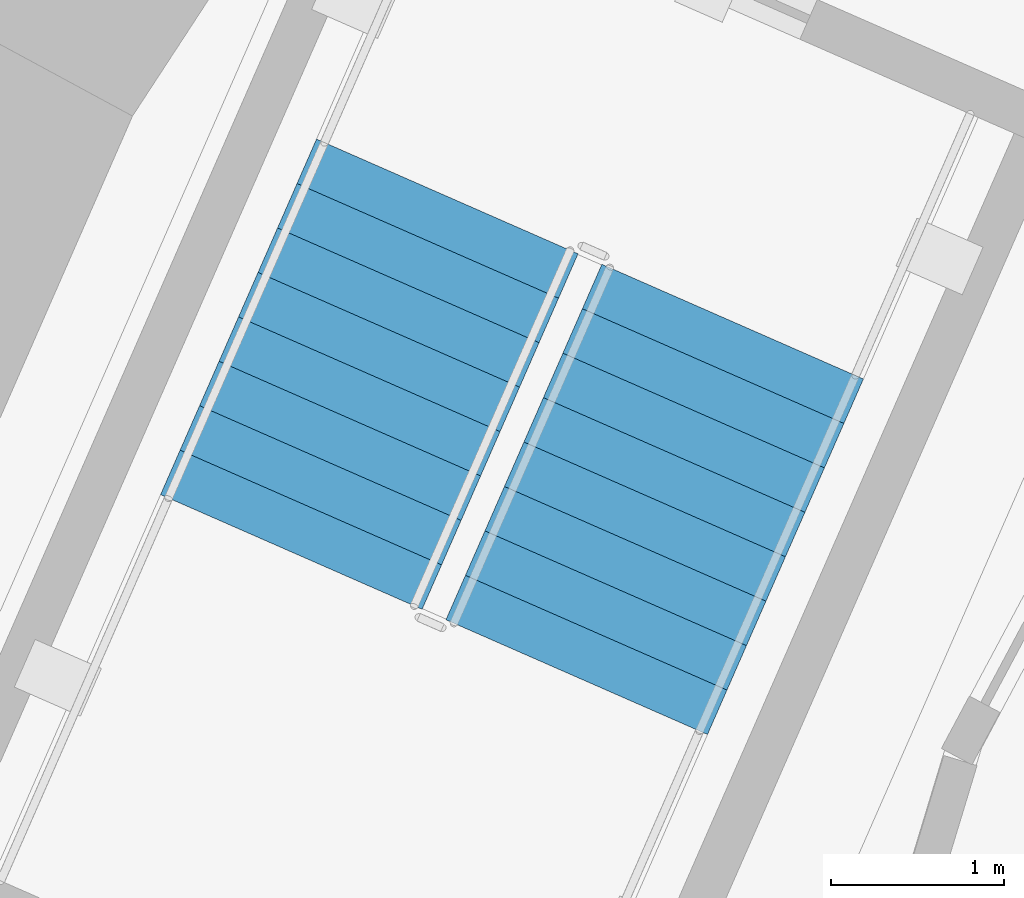
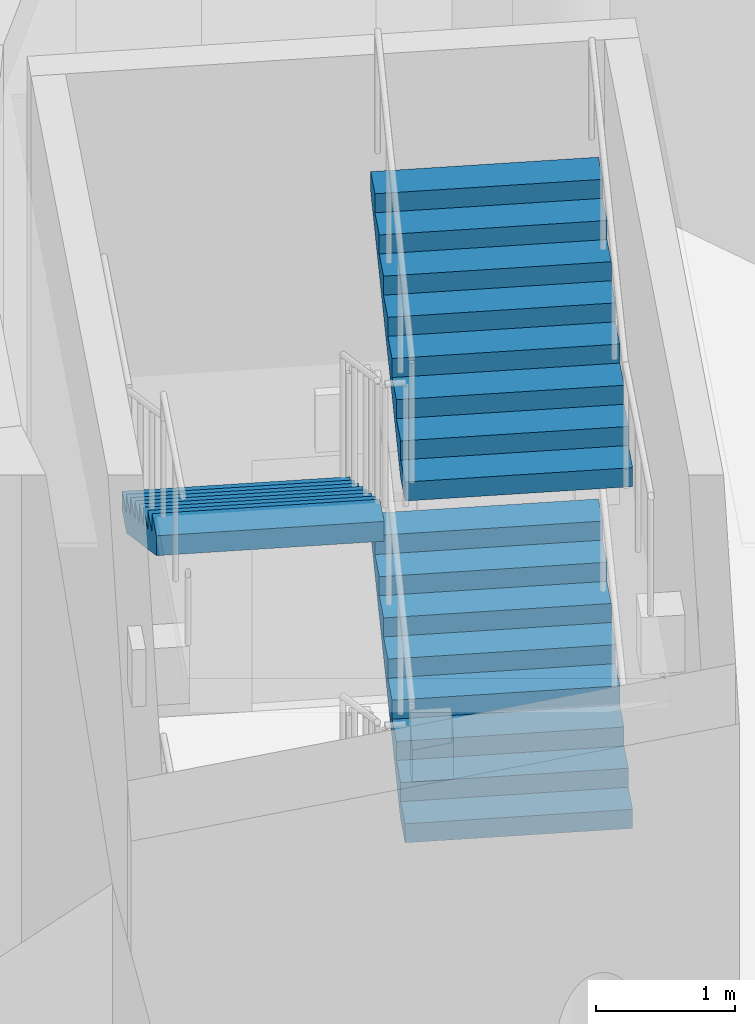
# One storey, part 69 of 125: 3 stair flights, 1 element without a shape of its own.
"""IFC4 building model written with IfcOpenShell, lengths in metres."""

import ifcopenshell
import ifcopenshell.guid

model = None  # the IFC model being written
_history = None  # IfcOwnerHistory: only IFC2X3 demands one
_inside = {}  # id of a spatial element -> (the spatial element, [elements in it])
_under = {}  # id of a project, library or spatial element -> (it, [spatial elements below it])
_declared = {}  # id of a project -> (the project, [libraries it declares])
_typed = {}  # id of a type object -> (the type object, [elements of that type])
_made_of = {}  # id of a material, layer set ... -> (it, [elements and type objects made of it])


def new_model(schema):
    """Start an empty IFC model of exactly this schema.

    Asked for "IFC4X3", IfcOpenShell would pick the latest addendum, in which some entities
    have other attributes; the version numbers below select the first issue.
    IFC2X3 requires an IfcOwnerHistory on every rooted entity: one is made here for all.
    """
    global model, _history
    if schema == "IFC4X3":
        model = ifcopenshell.file(schema_version=(4, 3, 0, 0))
    else:
        model = ifcopenshell.file(schema=schema)
    _inside.clear()
    _under.clear()
    _declared.clear()
    _typed.clear()
    _made_of.clear()
    _history = None
    if model.schema == "IFC2X3":
        org = make("IfcOrganization", Name="unknown")
        user = make(
            "IfcPersonAndOrganization",
            ThePerson=make("IfcPerson", FamilyName="unknown"),
            TheOrganization=org,
        )
        app = make(
            "IfcApplication",
            ApplicationDeveloper=org,
            Version="unknown",
            ApplicationFullName="unknown",
            ApplicationIdentifier="unknown",
        )
        _history = make(
            "IfcOwnerHistory",
            OwningUser=user,
            OwningApplication=app,
            ChangeAction="ADDED",
            CreationDate=0,
        )
    return model


def make(cls, **values):
    """One entity of the class cls with the attributes given. An attribute that is None is left unset."""
    return model.create_entity(
        cls, **{name: value for name, value in values.items() if value is not None}
    )


def rooted(cls, **values):
    """An entity with a GlobalId (a new one), such as an element, a storey or a relation."""
    return make(cls, GlobalId=ifcopenshell.guid.new(), OwnerHistory=_history, **values)


def si_unit(unit_type, name, prefix=None):
    """IfcSIUnit, for example si_unit("LENGTHUNIT", "METRE", prefix="MILLI")."""
    return make("IfcSIUnit", UnitType=unit_type, Prefix=prefix, Name=name)


def assignment(units):
    """IfcUnitAssignment: the units of a project."""
    return None if units is None else make("IfcUnitAssignment", Units=units)


def point(xyz):
    """IfcCartesianPoint."""
    return None if xyz is None else make("IfcCartesianPoint", Coordinates=xyz)


def direction(xyz):
    """IfcDirection."""
    return None if xyz is None else make("IfcDirection", DirectionRatios=xyz)


def frame(location, z_axis=None, x_axis=None):
    """IfcAxis2Placement3D, a coordinate frame: its origin and axes. An axis left out is left unset."""
    return make(
        "IfcAxis2Placement3D",
        Location=point(location),
        Axis=direction(z_axis),
        RefDirection=direction(x_axis),
    )


def origin():
    """The frame at (0, 0, 0) with its axes left unset."""
    return frame((0.0, 0.0, 0.0))


def place(relative_to, where):
    """IfcLocalPlacement: puts the frame where relative to a parent placement (None: the world)."""
    return make(
        "IfcLocalPlacement", PlacementRelTo=relative_to, RelativePlacement=where
    )


def context(
    kind, dimensions, precision=None, world=None, true_north=None, identifier=None
):
    """IfcGeometricRepresentationContext, for example the 3D "Model" context."""
    return make(
        "IfcGeometricRepresentationContext",
        ContextIdentifier=identifier,
        ContextType=kind,
        CoordinateSpaceDimension=dimensions,
        Precision=precision,
        WorldCoordinateSystem=world,
        TrueNorth=true_north,
    )


def subcontext(parent, identifier, kind, view, scale=None):
    """IfcGeometricRepresentationSubContext, for example "Body" below "Model"."""
    return make(
        "IfcGeometricRepresentationSubContext",
        ContextIdentifier=identifier,
        ContextType=kind,
        ParentContext=parent,
        TargetScale=scale,
        TargetView=view,
    )


def project(units=None, contexts=None):
    """IfcProject with its units and contexts."""
    return rooted(
        "IfcProject",
        Name="project",
        RepresentationContexts=contexts,
        UnitsInContext=assignment(units),
    )


def spatial(cls, under=None, at=None, **own):
    """A site, building, storey or space (cls), placed at a placement, below another one or the project."""
    s = rooted(cls, ObjectPlacement=at, **own)
    if under is not None:
        _under.setdefault(under.id(), (under, []))[1].append(s)
    return s


def polyline(points):
    """IfcPolyline through the points."""
    return make("IfcPolyline", Points=[point(p) for p in points])


def outline(outer, holes=None, kind="AREA"):
    """IfcArbitraryClosedProfileDef: a profile drawn as a closed curve; with holes, ...WithVoids."""
    if holes is None:
        return make("IfcArbitraryClosedProfileDef", ProfileType=kind, OuterCurve=outer)
    return make(
        "IfcArbitraryProfileDefWithVoids",
        ProfileType=kind,
        OuterCurve=outer,
        InnerCurves=holes,
    )


def extrude(swept, where, along, depth):
    """IfcExtrudedAreaSolid: the profile swept, set in the frame where, extruded along a direction by depth."""
    return make(
        "IfcExtrudedAreaSolid",
        SweptArea=swept,
        Position=where,
        ExtrudedDirection=direction(along),
        Depth=depth,
    )


def shape(context_of_items, identifier, shape_type, items):
    """IfcShapeRepresentation: the items that make up one representation, for example the "Body"."""
    return make(
        "IfcShapeRepresentation",
        ContextOfItems=context_of_items,
        RepresentationIdentifier=identifier,
        RepresentationType=shape_type,
        Items=items,
    )


def material(Name=None, Category=None):
    """IfcMaterial."""
    return make("IfcMaterial", Name=Name, Category=Category)


def made_of(thing, what):
    """Note that an element or type object is made of a material, layer set ...; save() writes the relation."""
    if what is not None:
        _made_of.setdefault(what.id(), (what, []))[1].append(thing)
    return thing


def type_object(cls, material=None, **own):
    """A type object (cls), such as IfcWallType, which elements share."""
    return made_of(rooted(cls, **own), material)


def element(
    cls,
    number,
    at=None,
    inside=None,
    cuts=None,
    type_object=None,
    material=None,
    context=None,
    identifier="Body",
    shape_type=None,
    held_by="IfcProductDefinitionShape",
    body=None,
    shapes=None,
    **own,
):
    """One element of the class cls, such as IfcWall. Its Tag is "e" and its number.

    at: its placement. inside: the storey or other place that contains it. cuts: it is an
    opening in that element (IfcRelVoidsElement). A single representation is given by context,
    identifier, shape_type and body (its items); several are given by shapes. held_by: the class
    of the entity that holds the representations. save() writes the other relations.
    """
    e = rooted(cls, Tag="e%d" % number, ObjectPlacement=at, **own)
    if body is not None:
        shapes = [shape(context, identifier, shape_type, body)]
    if shapes is not None:
        e.Representation = make(held_by, Representations=shapes)
    if inside is not None:
        _inside.setdefault(inside.id(), (inside, []))[1].append(e)
    if cuts is not None:
        rooted(
            "IfcRelVoidsElement", RelatingBuildingElement=cuts, RelatedOpeningElement=e
        )
    if type_object is not None:
        _typed.setdefault(type_object.id(), (type_object, []))[1].append(e)
    return made_of(e, material)


def aggregate(whole, parts):
    """IfcRelAggregates: a whole, such as a stair, and the parts it consists of."""
    return rooted("IfcRelAggregates", RelatingObject=whole, RelatedObjects=parts)


def save(model, path):
    """Write the relations noted so far, then the file.

    IfcRelAggregates (storeys below a building ...), IfcRelContainedInSpatialStructure (elements
    in a storey), IfcRelDefinesByType, IfcRelAssociatesMaterial and IfcRelDeclares: one each for
    every whole, place, type object, material and project.
    """
    for whole, parts in _under.values():
        aggregate(whole, parts)
    for where, things in _inside.values():
        rooted(
            "IfcRelContainedInSpatialStructure",
            RelatedElements=things,
            RelatingStructure=where,
        )
    for kind, things in _typed.values():
        rooted("IfcRelDefinesByType", RelatedObjects=things, RelatingType=kind)
    for what, things in _made_of.values():
        rooted("IfcRelAssociatesMaterial", RelatedObjects=things, RelatingMaterial=what)
    for by, libraries in _declared.values():
        rooted("IfcRelDeclares", RelatingContext=by, RelatedDefinitions=libraries)
    model.write(path)


model = new_model("IFC4")

# Units and contexts
model_context = context("Model", 3, precision=1e-05, world=origin(), true_north=direction((0.0, 1.0)))
body_context = subcontext(model_context, "Body", "Model", "MODEL_VIEW")
ifc_project = project(units=[si_unit("LENGTHUNIT", "METRE"), si_unit("AREAUNIT", "SQUARE_METRE"), si_unit("VOLUMEUNIT", "CUBIC_METRE"), si_unit("PLANEANGLEUNIT", "RADIAN"), si_unit("MASSUNIT", "GRAM", prefix="KILO")], contexts=[model_context])

# Site, building, storey
site_placement = place(None, origin())
site = spatial("IfcSite", under=ifc_project, at=site_placement, CompositionType="ELEMENT")
building_placement = place(site_placement, origin())
building = spatial("IfcBuilding", under=site, at=building_placement, Name="Sun Court Science Centre", CompositionType="ELEMENT")
storey_placement = place(building_placement, origin())
storey = spatial("IfcBuildingStorey", under=building, at=storey_placement, Name="L00", CompositionType="ELEMENT", Elevation=0.0)

# Stair, stair flights
ifc_material_1 = material(Name="Concrete C25/30", Category="concrete")
stair_type = type_object("IfcStairType", Name="Stair 1500 drum half-turn", PredefinedType="HALF_TURN_STAIR", material=ifc_material_1)
stair_placement = place(storey_placement, origin())
stair = element("IfcStair", 1, at=stair_placement, inside=storey, type_object=stair_type, Name="L00 Stair PS2", PredefinedType="HALF_TURN_STAIR")
ifc_material_2 = material(Name="Concrete C25/30", Category="concrete")
stair_flight_type = type_object("IfcStairFlightType", Name="Stair flight 1500 with waist", PredefinedType="STRAIGHT", material=ifc_material_2)
stair_flight_1_placement = place(storey_placement, frame((40.812255859375, 100.462890625, 1.5), z_axis=(0.0, 0.0, 1.0), x_axis=(0.401695432224, 0.915773323334, 0.0)))
stair_flight_1 = element("IfcStairFlight", 2, at=stair_flight_1_placement, type_object=stair_flight_type, Name="PS2 flight 2", NumberOfRisers=9, NumberOfTreads=8, PredefinedType="STRAIGHT", RiserHeight=0.166666667, TreadLength=0.28, context=body_context, shape_type="SweptSolid", body=[
    extrude(outline(polyline([(0.0, 0.0), (0.0, 0.00244140625), (0.0, 0.0048828125), (0.0, 0.00732421875), (0.0, 0.009765625), (0.0, 0.01220703125), (0.0, 0.0146484375), (0.0, 0.01708984375), (0.0, 0.01953125), (0.0, 0.02197265625), (0.0, 0.0244140625), (0.0, 0.02685546875), (0.0, 0.029296875), (0.0, 0.03173828125), (0.0, 0.0341796875), (0.0, 0.03662109375), (0.0, 0.0390625), (0.0, 0.04150390625), (0.0, 0.0439453125), (0.0, 0.04638671875), (0.0, 0.048828125), (0.0, 0.05126953125), (0.0, 0.0537109375), (0.0, 0.05615234375), (0.0, 0.05859375), (0.0, 0.06103515625), (0.0, 0.0634765625), (0.0, 0.06591796875), (0.0, 0.068359375), (0.0, 0.07080078125), (0.0, 0.0732421875), (0.0, 0.07568359375), (0.0, 0.078125), (0.0, 0.08056640625), (0.0, 0.0830078125), (0.0, 0.08544921875), (0.0, 0.087890625), (0.0, 0.09033203125), (0.0, 0.0927734375), (0.0, 0.09521484375), (0.0, 0.09765625), (0.0, 0.10009765625), (0.0, 0.1025390625), (0.0, 0.10498046875), (0.0, 0.107421875), (0.0, 0.10986328125), (0.0, 0.1123046875), (0.0, 0.11474609375), (0.0, 0.1171875), (0.0, 0.11962890625), (0.0, 0.1220703125), (0.0, 0.12451171875), (0.0, 0.126953125), (0.0, 0.12939453125), (0.0, 0.1318359375), (0.0, 0.13427734375), (0.0, 0.13671875), (0.0, 0.13916015625), (0.0, 0.1416015625), (0.0, 0.14404296875), (0.0, 0.146484375), (0.0, 0.14892578125), (0.0, 0.1513671875), (0.0, 0.15380859375), (0.0, 0.15625), (0.0, 0.15869140625), (0.0, 0.1611328125), (0.0, 0.16357421875), (0.0, 0.166748046875), (0.280029296875, 0.166748046875), (0.280029296875, 0.333251953125), (0.56005859375, 0.333251953125), (0.56005859375, 0.5), (0.840087890625, 0.5), (0.840087890625, 0.666748046875), (1.1201171875, 0.666748046875), (1.1201171875, 0.833251953125), (1.39990234375, 0.833251953125), (1.39990234375, 1.0), (1.679931640625, 1.0), (1.679931640625, 1.166748046875), (1.9599609375, 1.166748046875), (1.9599609375, 1.333251953125), (2.239990234375, 1.333251953125), (2.239990234375, 1.335693359375), (2.239990234375, 1.338134765625), (2.239990234375, 1.340576171875), (2.239990234375, 1.343017578125), (2.239990234375, 1.345458984375), (2.239990234375, 1.347900390625), (2.239990234375, 1.350341796875), (2.239990234375, 1.352783203125), (2.239990234375, 1.355224609375), (2.239990234375, 1.357666015625), (2.239990234375, 1.360107421875), (2.239990234375, 1.362548828125), (2.239990234375, 1.364990234375), (2.239990234375, 1.367431640625), (2.239990234375, 1.369873046875), (2.239990234375, 1.372314453125), (2.239990234375, 1.374755859375), (2.239990234375, 1.377197265625), (2.239990234375, 1.379638671875), (2.239990234375, 1.382080078125), (2.239990234375, 1.384521484375), (2.239990234375, 1.386962890625), (2.239990234375, 1.389404296875), (2.239990234375, 1.391845703125), (2.239990234375, 1.394287109375), (2.239990234375, 1.396728515625), (2.239990234375, 1.399169921875), (2.239990234375, 1.401611328125), (2.239990234375, 1.404052734375), (2.239990234375, 1.406494140625), (2.239990234375, 1.408935546875), (2.239990234375, 1.411376953125), (2.239990234375, 1.413818359375), (2.239990234375, 1.416259765625), (2.239990234375, 1.418701171875), (2.239990234375, 1.421142578125), (2.239990234375, 1.423583984375), (2.239990234375, 1.426025390625), (2.239990234375, 1.428466796875), (2.239990234375, 1.430908203125), (2.239990234375, 1.433349609375), (2.239990234375, 1.435791015625), (2.239990234375, 1.438232421875), (2.239990234375, 1.440673828125), (2.239990234375, 1.443115234375), (2.239990234375, 1.445556640625), (2.239990234375, 1.447998046875), (2.239990234375, 1.450439453125), (2.239990234375, 1.452880859375), (2.239990234375, 1.455322265625), (2.239990234375, 1.457763671875), (2.239990234375, 1.460205078125), (2.239990234375, 1.462646484375), (2.239990234375, 1.465087890625), (2.239990234375, 1.467529296875), (2.239990234375, 1.469970703125), (2.239990234375, 1.472412109375), (2.239990234375, 1.474853515625), (2.239990234375, 1.477294921875), (2.239990234375, 1.479736328125), (2.239990234375, 1.482177734375), (2.239990234375, 1.484619140625), (2.239990234375, 1.487060546875), (2.239990234375, 1.489501953125), (2.239990234375, 1.491943359375), (2.239990234375, 1.494384765625), (2.239990234375, 1.496826171875), (2.239990234375, 1.5), (2.239990234375, 1.49755859375), (2.239990234375, 1.4951171875), (2.239990234375, 1.49267578125), (2.239990234375, 1.490234375), (2.239990234375, 1.48779296875), (2.239990234375, 1.4853515625), (2.239990234375, 1.48291015625), (2.239990234375, 1.48046875), (2.239990234375, 1.47802734375), (2.239990234375, 1.4755859375), (2.239990234375, 1.47314453125), (2.239990234375, 1.470703125), (2.239990234375, 1.46826171875), (2.239990234375, 1.4658203125), (2.239990234375, 1.46337890625), (2.239990234375, 1.4609375), (2.239990234375, 1.45849609375), (2.239990234375, 1.4560546875), (2.239990234375, 1.45361328125), (2.239990234375, 1.451171875), (2.239990234375, 1.44873046875), (2.239990234375, 1.4462890625), (2.239990234375, 1.44384765625), (2.239990234375, 1.44140625), (2.239990234375, 1.43896484375), (2.239990234375, 1.4365234375), (2.239990234375, 1.43408203125), (2.239990234375, 1.431640625), (2.239990234375, 1.42919921875), (2.239990234375, 1.4267578125), (2.239990234375, 1.42431640625), (2.239990234375, 1.421875), (2.239990234375, 1.41943359375), (2.239990234375, 1.4169921875), (2.239990234375, 1.41455078125), (2.239990234375, 1.412109375), (2.239990234375, 1.40966796875), (2.239990234375, 1.4072265625), (2.239990234375, 1.40478515625), (2.239990234375, 1.40234375), (2.239990234375, 1.39990234375), (2.239990234375, 1.3974609375), (2.239990234375, 1.39501953125), (2.239990234375, 1.392578125), (2.239990234375, 1.39013671875), (2.239990234375, 1.3876953125), (2.239990234375, 1.38525390625), (2.239990234375, 1.3828125), (2.239990234375, 1.38037109375), (2.239990234375, 1.3779296875), (2.239990234375, 1.37548828125), (2.239990234375, 1.373046875), (2.239990234375, 1.37060546875), (2.239990234375, 1.3681640625), (2.239990234375, 1.36572265625), (2.239990234375, 1.36328125), (2.239990234375, 1.36083984375), (2.239990234375, 1.3583984375), (2.239990234375, 1.35595703125), (2.239990234375, 1.353515625), (2.239990234375, 1.35107421875), (2.239990234375, 1.3486328125), (2.239990234375, 1.34619140625), (2.239990234375, 1.34375), (2.239990234375, 1.34130859375), (2.239990234375, 1.3388671875), (2.239990234375, 1.33642578125), (2.239990234375, 1.333984375), (2.239990234375, 1.33154296875), (2.239990234375, 1.3291015625), (2.239990234375, 1.32666015625), (2.239990234375, 1.32421875), (2.239990234375, 1.32177734375), (2.239990234375, 1.3193359375), (2.239990234375, 1.31689453125), (2.239990234375, 1.314453125), (2.239990234375, 1.31201171875), (2.239990234375, 1.3095703125), (2.239990234375, 1.30712890625), (2.239990234375, 1.3046875), (2.239990234375, 1.30224609375), (2.239990234375, 1.2998046875), (2.239990234375, 1.29736328125), (2.239990234375, 1.294921875), (2.239990234375, 1.29248046875), (2.239990234375, 1.2900390625), (2.239990234375, 1.28759765625), (2.239990234375, 1.28515625), (2.239990234375, 1.28271484375), (2.239990234375, 1.2802734375), (2.239990234375, 1.27783203125), (2.239990234375, 1.275390625), (2.239990234375, 1.27294921875), (2.239990234375, 1.2705078125), (2.239990234375, 1.26806640625), (2.239990234375, 1.265625), (2.239990234375, 1.26318359375), (2.239990234375, 1.2607421875), (2.239990234375, 1.25830078125), (2.239990234375, 1.255859375), (2.239990234375, 1.25341796875), (2.239990234375, 1.2509765625), (2.239990234375, 1.24853515625), (2.239990234375, 1.24609375), (2.239990234375, 1.24365234375), (2.239990234375, 1.2412109375), (2.239990234375, 1.23876953125), (2.239990234375, 1.236328125), (2.239990234375, 1.23388671875), (2.239990234375, 1.2314453125), (2.239990234375, 1.22900390625), (2.239990234375, 1.2265625), (2.239990234375, 1.22412109375), (2.239990234375, 1.2216796875), (2.239990234375, 1.21923828125), (2.239990234375, 1.216796875), (2.239990234375, 1.21435546875), (2.239990234375, 1.2119140625), (2.239990234375, 1.20947265625), (2.239990234375, 1.20703125), (2.239990234375, 1.20458984375), (2.239990234375, 1.2021484375), (2.239990234375, 1.19970703125), (2.239990234375, 1.197265625), (2.239990234375, 1.19482421875), (2.239990234375, 1.1923828125), (2.239990234375, 1.18994140625), (2.239990234375, 1.1875), (2.239990234375, 1.18505859375), (2.239990234375, 1.1826171875), (2.239990234375, 1.18017578125), (2.239990234375, 1.177734375), (2.239990234375, 1.17529296875), (2.239990234375, 1.1728515625), (2.239990234375, 1.17041015625), (2.239990234375, 1.16796875), (2.239990234375, 1.16552734375), (2.239990234375, 1.1630859375), (2.239990234375, 1.158935546875), (0.29296875, 0.0), (0.0, 0.0)])), frame((0.0, 0.823974609375, 0.0), z_axis=(0.0, -1.0, 0.0), x_axis=(1.0, 0.0, 0.0)), (0.0, 0.0, 1.0), 1.64794921875),
])
stair_flight_2_placement = place(storey_placement, frame((40.0654296875, 103.236572265625, 3.0), z_axis=(0.0, 0.0, 1.0), x_axis=(-0.401695432224, -0.915773323334, 0.0)))
stair_flight_2 = element("IfcStairFlight", 3, at=stair_flight_2_placement, type_object=stair_flight_type, Name="PS2 flight 3", NumberOfRisers=9, NumberOfTreads=8, PredefinedType="STRAIGHT", RiserHeight=0.166666667, TreadLength=0.28, context=body_context, shape_type="SweptSolid", body=[
    extrude(outline(polyline([(0.0, 0.0), (0.0, 0.00244140625), (0.0, 0.0048828125), (0.0, 0.00732421875), (0.0, 0.009765625), (0.0, 0.01220703125), (0.0, 0.0146484375), (0.0, 0.01708984375), (0.0, 0.01953125), (0.0, 0.02197265625), (0.0, 0.0244140625), (0.0, 0.02685546875), (0.0, 0.029296875), (0.0, 0.03173828125), (0.0, 0.0341796875), (0.0, 0.03662109375), (0.0, 0.0390625), (0.0, 0.04150390625), (0.0, 0.0439453125), (0.0, 0.04638671875), (0.0, 0.048828125), (0.0, 0.05126953125), (0.0, 0.0537109375), (0.0, 0.05615234375), (0.0, 0.05859375), (0.0, 0.06103515625), (0.0, 0.0634765625), (0.0, 0.06591796875), (0.0, 0.068359375), (0.0, 0.07080078125), (0.0, 0.0732421875), (0.0, 0.07568359375), (0.0, 0.078125), (0.0, 0.08056640625), (0.0, 0.0830078125), (0.0, 0.08544921875), (0.0, 0.087890625), (0.0, 0.09033203125), (0.0, 0.0927734375), (0.0, 0.09521484375), (0.0, 0.09765625), (0.0, 0.10009765625), (0.0, 0.1025390625), (0.0, 0.10498046875), (0.0, 0.107421875), (0.0, 0.10986328125), (0.0, 0.1123046875), (0.0, 0.11474609375), (0.0, 0.1171875), (0.0, 0.11962890625), (0.0, 0.1220703125), (0.0, 0.12451171875), (0.0, 0.126953125), (0.0, 0.12939453125), (0.0, 0.1318359375), (0.0, 0.13427734375), (0.0, 0.13671875), (0.0, 0.13916015625), (0.0, 0.1416015625), (0.0, 0.14404296875), (0.0, 0.146484375), (0.0, 0.14892578125), (0.0, 0.1513671875), (0.0, 0.15380859375), (0.0, 0.15625), (0.0, 0.15869140625), (0.0, 0.1611328125), (0.0, 0.16357421875), (0.0, 0.166748046875), (0.280029296875, 0.166748046875), (0.280029296875, 0.333251953125), (0.56005859375, 0.333251953125), (0.56005859375, 0.5), (0.840087890625, 0.5), (0.840087890625, 0.666748046875), (1.1201171875, 0.666748046875), (1.1201171875, 0.833251953125), (1.39990234375, 0.833251953125), (1.39990234375, 1.0), (1.679931640625, 1.0), (1.679931640625, 1.166748046875), (1.9599609375, 1.166748046875), (1.9599609375, 1.333251953125), (2.239990234375, 1.333251953125), (2.239990234375, 1.335693359375), (2.239990234375, 1.338134765625), (2.239990234375, 1.340576171875), (2.239990234375, 1.343017578125), (2.239990234375, 1.345458984375), (2.239990234375, 1.347900390625), (2.239990234375, 1.350341796875), (2.239990234375, 1.352783203125), (2.239990234375, 1.355224609375), (2.239990234375, 1.357666015625), (2.239990234375, 1.360107421875), (2.239990234375, 1.362548828125), (2.239990234375, 1.364990234375), (2.239990234375, 1.367431640625), (2.239990234375, 1.369873046875), (2.239990234375, 1.372314453125), (2.239990234375, 1.374755859375), (2.239990234375, 1.377197265625), (2.239990234375, 1.379638671875), (2.239990234375, 1.382080078125), (2.239990234375, 1.384521484375), (2.239990234375, 1.386962890625), (2.239990234375, 1.389404296875), (2.239990234375, 1.391845703125), (2.239990234375, 1.394287109375), (2.239990234375, 1.396728515625), (2.239990234375, 1.399169921875), (2.239990234375, 1.401611328125), (2.239990234375, 1.404052734375), (2.239990234375, 1.406494140625), (2.239990234375, 1.408935546875), (2.239990234375, 1.411376953125), (2.239990234375, 1.413818359375), (2.239990234375, 1.416259765625), (2.239990234375, 1.418701171875), (2.239990234375, 1.421142578125), (2.239990234375, 1.423583984375), (2.239990234375, 1.426025390625), (2.239990234375, 1.428466796875), (2.239990234375, 1.430908203125), (2.239990234375, 1.433349609375), (2.239990234375, 1.435791015625), (2.239990234375, 1.438232421875), (2.239990234375, 1.440673828125), (2.239990234375, 1.443115234375), (2.239990234375, 1.445556640625), (2.239990234375, 1.447998046875), (2.239990234375, 1.450439453125), (2.239990234375, 1.452880859375), (2.239990234375, 1.455322265625), (2.239990234375, 1.457763671875), (2.239990234375, 1.460205078125), (2.239990234375, 1.462646484375), (2.239990234375, 1.465087890625), (2.239990234375, 1.467529296875), (2.239990234375, 1.469970703125), (2.239990234375, 1.472412109375), (2.239990234375, 1.474853515625), (2.239990234375, 1.477294921875), (2.239990234375, 1.479736328125), (2.239990234375, 1.482177734375), (2.239990234375, 1.484619140625), (2.239990234375, 1.487060546875), (2.239990234375, 1.489501953125), (2.239990234375, 1.491943359375), (2.239990234375, 1.494384765625), (2.239990234375, 1.496826171875), (2.239990234375, 1.5), (2.239990234375, 1.49755859375), (2.239990234375, 1.4951171875), (2.239990234375, 1.49267578125), (2.239990234375, 1.490234375), (2.239990234375, 1.48779296875), (2.239990234375, 1.4853515625), (2.239990234375, 1.48291015625), (2.239990234375, 1.48046875), (2.239990234375, 1.47802734375), (2.239990234375, 1.4755859375), (2.239990234375, 1.47314453125), (2.239990234375, 1.470703125), (2.239990234375, 1.46826171875), (2.239990234375, 1.4658203125), (2.239990234375, 1.46337890625), (2.239990234375, 1.4609375), (2.239990234375, 1.45849609375), (2.239990234375, 1.4560546875), (2.239990234375, 1.45361328125), (2.239990234375, 1.451171875), (2.239990234375, 1.44873046875), (2.239990234375, 1.4462890625), (2.239990234375, 1.44384765625), (2.239990234375, 1.44140625), (2.239990234375, 1.43896484375), (2.239990234375, 1.4365234375), (2.239990234375, 1.43408203125), (2.239990234375, 1.431640625), (2.239990234375, 1.42919921875), (2.239990234375, 1.4267578125), (2.239990234375, 1.42431640625), (2.239990234375, 1.421875), (2.239990234375, 1.41943359375), (2.239990234375, 1.4169921875), (2.239990234375, 1.41455078125), (2.239990234375, 1.412109375), (2.239990234375, 1.40966796875), (2.239990234375, 1.4072265625), (2.239990234375, 1.40478515625), (2.239990234375, 1.40234375), (2.239990234375, 1.39990234375), (2.239990234375, 1.3974609375), (2.239990234375, 1.39501953125), (2.239990234375, 1.392578125), (2.239990234375, 1.39013671875), (2.239990234375, 1.3876953125), (2.239990234375, 1.38525390625), (2.239990234375, 1.3828125), (2.239990234375, 1.38037109375), (2.239990234375, 1.3779296875), (2.239990234375, 1.37548828125), (2.239990234375, 1.373046875), (2.239990234375, 1.37060546875), (2.239990234375, 1.3681640625), (2.239990234375, 1.36572265625), (2.239990234375, 1.36328125), (2.239990234375, 1.36083984375), (2.239990234375, 1.3583984375), (2.239990234375, 1.35595703125), (2.239990234375, 1.353515625), (2.239990234375, 1.35107421875), (2.239990234375, 1.3486328125), (2.239990234375, 1.34619140625), (2.239990234375, 1.34375), (2.239990234375, 1.34130859375), (2.239990234375, 1.3388671875), (2.239990234375, 1.33642578125), (2.239990234375, 1.333984375), (2.239990234375, 1.33154296875), (2.239990234375, 1.3291015625), (2.239990234375, 1.32666015625), (2.239990234375, 1.32421875), (2.239990234375, 1.32177734375), (2.239990234375, 1.3193359375), (2.239990234375, 1.31689453125), (2.239990234375, 1.314453125), (2.239990234375, 1.31201171875), (2.239990234375, 1.3095703125), (2.239990234375, 1.30712890625), (2.239990234375, 1.3046875), (2.239990234375, 1.30224609375), (2.239990234375, 1.2998046875), (2.239990234375, 1.29736328125), (2.239990234375, 1.294921875), (2.239990234375, 1.29248046875), (2.239990234375, 1.2900390625), (2.239990234375, 1.28759765625), (2.239990234375, 1.28515625), (2.239990234375, 1.28271484375), (2.239990234375, 1.2802734375), (2.239990234375, 1.27783203125), (2.239990234375, 1.275390625), (2.239990234375, 1.27294921875), (2.239990234375, 1.2705078125), (2.239990234375, 1.26806640625), (2.239990234375, 1.265625), (2.239990234375, 1.26318359375), (2.239990234375, 1.2607421875), (2.239990234375, 1.25830078125), (2.239990234375, 1.255859375), (2.239990234375, 1.25341796875), (2.239990234375, 1.2509765625), (2.239990234375, 1.24853515625), (2.239990234375, 1.24609375), (2.239990234375, 1.24365234375), (2.239990234375, 1.2412109375), (2.239990234375, 1.23876953125), (2.239990234375, 1.236328125), (2.239990234375, 1.23388671875), (2.239990234375, 1.2314453125), (2.239990234375, 1.22900390625), (2.239990234375, 1.2265625), (2.239990234375, 1.22412109375), (2.239990234375, 1.2216796875), (2.239990234375, 1.21923828125), (2.239990234375, 1.216796875), (2.239990234375, 1.21435546875), (2.239990234375, 1.2119140625), (2.239990234375, 1.20947265625), (2.239990234375, 1.20703125), (2.239990234375, 1.20458984375), (2.239990234375, 1.2021484375), (2.239990234375, 1.19970703125), (2.239990234375, 1.197265625), (2.239990234375, 1.19482421875), (2.239990234375, 1.1923828125), (2.239990234375, 1.18994140625), (2.239990234375, 1.1875), (2.239990234375, 1.18505859375), (2.239990234375, 1.1826171875), (2.239990234375, 1.18017578125), (2.239990234375, 1.177734375), (2.239990234375, 1.17529296875), (2.239990234375, 1.1728515625), (2.239990234375, 1.17041015625), (2.239990234375, 1.16796875), (2.239990234375, 1.16552734375), (2.239990234375, 1.1630859375), (2.239990234375, 1.158935546875), (0.29296875, 0.0), (0.0, 0.0)])), frame((0.0, 0.823974609375, 0.0), z_axis=(0.0, -1.0, 0.0), x_axis=(1.0, 0.0, 0.0)), (0.0, 0.0, 1.0), 1.64794921875),
])
stair_flight_3_placement = place(storey_placement, frame((40.812255859375, 100.462890625, 4.5), z_axis=(0.0, 0.0, 1.0), x_axis=(0.401695432224, 0.915773323334, 0.0)))
stair_flight_3 = element("IfcStairFlight", 4, at=stair_flight_3_placement, type_object=stair_flight_type, Name="PS2 flight 4", NumberOfRisers=9, NumberOfTreads=8, PredefinedType="STRAIGHT", RiserHeight=0.166666667, TreadLength=0.28, context=body_context, shape_type="SweptSolid", body=[
    extrude(outline(polyline([(0.0, 0.0), (0.0, 0.00244140625), (0.0, 0.0048828125), (0.0, 0.00732421875), (0.0, 0.009765625), (0.0, 0.01220703125), (0.0, 0.0146484375), (0.0, 0.01708984375), (0.0, 0.01953125), (0.0, 0.02197265625), (0.0, 0.0244140625), (0.0, 0.02685546875), (0.0, 0.029296875), (0.0, 0.03173828125), (0.0, 0.0341796875), (0.0, 0.03662109375), (0.0, 0.0390625), (0.0, 0.04150390625), (0.0, 0.0439453125), (0.0, 0.04638671875), (0.0, 0.048828125), (0.0, 0.05126953125), (0.0, 0.0537109375), (0.0, 0.05615234375), (0.0, 0.05859375), (0.0, 0.06103515625), (0.0, 0.0634765625), (0.0, 0.06591796875), (0.0, 0.068359375), (0.0, 0.07080078125), (0.0, 0.0732421875), (0.0, 0.07568359375), (0.0, 0.078125), (0.0, 0.08056640625), (0.0, 0.0830078125), (0.0, 0.08544921875), (0.0, 0.087890625), (0.0, 0.09033203125), (0.0, 0.0927734375), (0.0, 0.09521484375), (0.0, 0.09765625), (0.0, 0.10009765625), (0.0, 0.1025390625), (0.0, 0.10498046875), (0.0, 0.107421875), (0.0, 0.10986328125), (0.0, 0.1123046875), (0.0, 0.11474609375), (0.0, 0.1171875), (0.0, 0.11962890625), (0.0, 0.1220703125), (0.0, 0.12451171875), (0.0, 0.126953125), (0.0, 0.12939453125), (0.0, 0.1318359375), (0.0, 0.13427734375), (0.0, 0.13671875), (0.0, 0.13916015625), (0.0, 0.1416015625), (0.0, 0.14404296875), (0.0, 0.146484375), (0.0, 0.14892578125), (0.0, 0.1513671875), (0.0, 0.15380859375), (0.0, 0.15625), (0.0, 0.15869140625), (0.0, 0.1611328125), (0.0, 0.16357421875), (0.0, 0.166748046875), (0.280029296875, 0.166748046875), (0.280029296875, 0.333251953125), (0.56005859375, 0.333251953125), (0.56005859375, 0.5), (0.840087890625, 0.5), (0.840087890625, 0.666748046875), (1.1201171875, 0.666748046875), (1.1201171875, 0.833251953125), (1.39990234375, 0.833251953125), (1.39990234375, 1.0), (1.679931640625, 1.0), (1.679931640625, 1.166748046875), (1.9599609375, 1.166748046875), (1.9599609375, 1.333251953125), (2.239990234375, 1.333251953125), (2.239990234375, 1.335693359375), (2.239990234375, 1.338134765625), (2.239990234375, 1.340576171875), (2.239990234375, 1.343017578125), (2.239990234375, 1.345458984375), (2.239990234375, 1.347900390625), (2.239990234375, 1.350341796875), (2.239990234375, 1.352783203125), (2.239990234375, 1.355224609375), (2.239990234375, 1.357666015625), (2.239990234375, 1.360107421875), (2.239990234375, 1.362548828125), (2.239990234375, 1.364990234375), (2.239990234375, 1.367431640625), (2.239990234375, 1.369873046875), (2.239990234375, 1.372314453125), (2.239990234375, 1.374755859375), (2.239990234375, 1.377197265625), (2.239990234375, 1.379638671875), (2.239990234375, 1.382080078125), (2.239990234375, 1.384521484375), (2.239990234375, 1.386962890625), (2.239990234375, 1.389404296875), (2.239990234375, 1.391845703125), (2.239990234375, 1.394287109375), (2.239990234375, 1.396728515625), (2.239990234375, 1.399169921875), (2.239990234375, 1.401611328125), (2.239990234375, 1.404052734375), (2.239990234375, 1.406494140625), (2.239990234375, 1.408935546875), (2.239990234375, 1.411376953125), (2.239990234375, 1.413818359375), (2.239990234375, 1.416259765625), (2.239990234375, 1.418701171875), (2.239990234375, 1.421142578125), (2.239990234375, 1.423583984375), (2.239990234375, 1.426025390625), (2.239990234375, 1.428466796875), (2.239990234375, 1.430908203125), (2.239990234375, 1.433349609375), (2.239990234375, 1.435791015625), (2.239990234375, 1.438232421875), (2.239990234375, 1.440673828125), (2.239990234375, 1.443115234375), (2.239990234375, 1.445556640625), (2.239990234375, 1.447998046875), (2.239990234375, 1.450439453125), (2.239990234375, 1.452880859375), (2.239990234375, 1.455322265625), (2.239990234375, 1.457763671875), (2.239990234375, 1.460205078125), (2.239990234375, 1.462646484375), (2.239990234375, 1.465087890625), (2.239990234375, 1.467529296875), (2.239990234375, 1.469970703125), (2.239990234375, 1.472412109375), (2.239990234375, 1.474853515625), (2.239990234375, 1.477294921875), (2.239990234375, 1.479736328125), (2.239990234375, 1.482177734375), (2.239990234375, 1.484619140625), (2.239990234375, 1.487060546875), (2.239990234375, 1.489501953125), (2.239990234375, 1.491943359375), (2.239990234375, 1.494384765625), (2.239990234375, 1.496826171875), (2.239990234375, 1.5), (2.239990234375, 1.49755859375), (2.239990234375, 1.4951171875), (2.239990234375, 1.49267578125), (2.239990234375, 1.490234375), (2.239990234375, 1.48779296875), (2.239990234375, 1.4853515625), (2.239990234375, 1.48291015625), (2.239990234375, 1.48046875), (2.239990234375, 1.47802734375), (2.239990234375, 1.4755859375), (2.239990234375, 1.47314453125), (2.239990234375, 1.470703125), (2.239990234375, 1.46826171875), (2.239990234375, 1.4658203125), (2.239990234375, 1.46337890625), (2.239990234375, 1.4609375), (2.239990234375, 1.45849609375), (2.239990234375, 1.4560546875), (2.239990234375, 1.45361328125), (2.239990234375, 1.451171875), (2.239990234375, 1.44873046875), (2.239990234375, 1.4462890625), (2.239990234375, 1.44384765625), (2.239990234375, 1.44140625), (2.239990234375, 1.43896484375), (2.239990234375, 1.4365234375), (2.239990234375, 1.43408203125), (2.239990234375, 1.431640625), (2.239990234375, 1.42919921875), (2.239990234375, 1.4267578125), (2.239990234375, 1.42431640625), (2.239990234375, 1.421875), (2.239990234375, 1.41943359375), (2.239990234375, 1.4169921875), (2.239990234375, 1.41455078125), (2.239990234375, 1.412109375), (2.239990234375, 1.40966796875), (2.239990234375, 1.4072265625), (2.239990234375, 1.40478515625), (2.239990234375, 1.40234375), (2.239990234375, 1.39990234375), (2.239990234375, 1.3974609375), (2.239990234375, 1.39501953125), (2.239990234375, 1.392578125), (2.239990234375, 1.39013671875), (2.239990234375, 1.3876953125), (2.239990234375, 1.38525390625), (2.239990234375, 1.3828125), (2.239990234375, 1.38037109375), (2.239990234375, 1.3779296875), (2.239990234375, 1.37548828125), (2.239990234375, 1.373046875), (2.239990234375, 1.37060546875), (2.239990234375, 1.3681640625), (2.239990234375, 1.36572265625), (2.239990234375, 1.36328125), (2.239990234375, 1.36083984375), (2.239990234375, 1.3583984375), (2.239990234375, 1.35595703125), (2.239990234375, 1.353515625), (2.239990234375, 1.35107421875), (2.239990234375, 1.3486328125), (2.239990234375, 1.34619140625), (2.239990234375, 1.34375), (2.239990234375, 1.34130859375), (2.239990234375, 1.3388671875), (2.239990234375, 1.33642578125), (2.239990234375, 1.333984375), (2.239990234375, 1.33154296875), (2.239990234375, 1.3291015625), (2.239990234375, 1.32666015625), (2.239990234375, 1.32421875), (2.239990234375, 1.32177734375), (2.239990234375, 1.3193359375), (2.239990234375, 1.31689453125), (2.239990234375, 1.314453125), (2.239990234375, 1.31201171875), (2.239990234375, 1.3095703125), (2.239990234375, 1.30712890625), (2.239990234375, 1.3046875), (2.239990234375, 1.30224609375), (2.239990234375, 1.2998046875), (2.239990234375, 1.29736328125), (2.239990234375, 1.294921875), (2.239990234375, 1.29248046875), (2.239990234375, 1.2900390625), (2.239990234375, 1.28759765625), (2.239990234375, 1.28515625), (2.239990234375, 1.28271484375), (2.239990234375, 1.2802734375), (2.239990234375, 1.27783203125), (2.239990234375, 1.275390625), (2.239990234375, 1.27294921875), (2.239990234375, 1.2705078125), (2.239990234375, 1.26806640625), (2.239990234375, 1.265625), (2.239990234375, 1.26318359375), (2.239990234375, 1.2607421875), (2.239990234375, 1.25830078125), (2.239990234375, 1.255859375), (2.239990234375, 1.25341796875), (2.239990234375, 1.2509765625), (2.239990234375, 1.24853515625), (2.239990234375, 1.24609375), (2.239990234375, 1.24365234375), (2.239990234375, 1.2412109375), (2.239990234375, 1.23876953125), (2.239990234375, 1.236328125), (2.239990234375, 1.23388671875), (2.239990234375, 1.2314453125), (2.239990234375, 1.22900390625), (2.239990234375, 1.2265625), (2.239990234375, 1.22412109375), (2.239990234375, 1.2216796875), (2.239990234375, 1.21923828125), (2.239990234375, 1.216796875), (2.239990234375, 1.21435546875), (2.239990234375, 1.2119140625), (2.239990234375, 1.20947265625), (2.239990234375, 1.20703125), (2.239990234375, 1.20458984375), (2.239990234375, 1.2021484375), (2.239990234375, 1.19970703125), (2.239990234375, 1.197265625), (2.239990234375, 1.19482421875), (2.239990234375, 1.1923828125), (2.239990234375, 1.18994140625), (2.239990234375, 1.1875), (2.239990234375, 1.18505859375), (2.239990234375, 1.1826171875), (2.239990234375, 1.18017578125), (2.239990234375, 1.177734375), (2.239990234375, 1.17529296875), (2.239990234375, 1.1728515625), (2.239990234375, 1.17041015625), (2.239990234375, 1.16796875), (2.239990234375, 1.16552734375), (2.239990234375, 1.1630859375), (2.239990234375, 1.158935546875), (0.29296875, 0.0), (0.0, 0.0)])), frame((0.0, 0.823974609375, 0.0), z_axis=(0.0, -1.0, 0.0), x_axis=(1.0, 0.0, 0.0)), (0.0, 0.0, 1.0), 1.64794921875),
])
aggregate(stair, [stair_flight_1, stair_flight_2, stair_flight_3])

save(model, "model.ifc")
